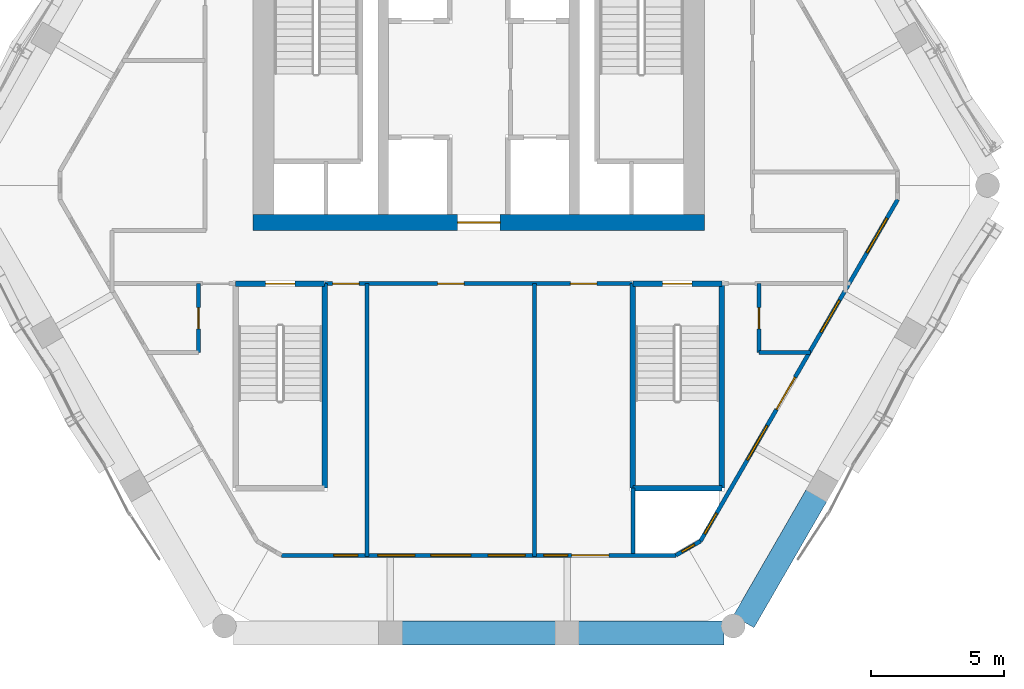
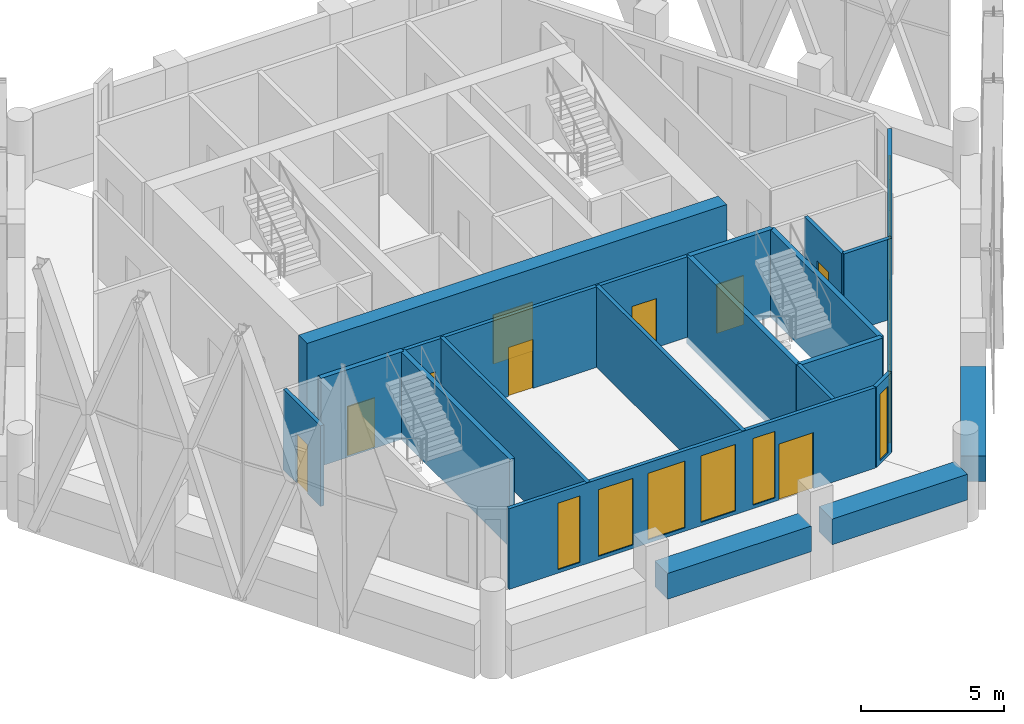
# One storey, part 12 of 18: 20 walls, 10 doors, 10 windows, 20 openings.
"""IFC4 building model written with IfcOpenShell, lengths in metres."""

from ifc_helpers import new_model, si_unit, direction, frame, frame_2d, origin, place, context, subcontext, project, spatial, rectangle, extrude, material, layer, layer_set, type_object, element, fill, save


model = new_model("IFC4")

# Units and contexts
model_context = context("Model", 3, precision=1e-05, world=origin(), true_north=direction((0.0, 1.0)))
body_context = subcontext(model_context, "Body", "Model", "MODEL_VIEW")
ifc_project = project(units=[si_unit("LENGTHUNIT", "METRE"), si_unit("AREAUNIT", "SQUARE_METRE"), si_unit("VOLUMEUNIT", "CUBIC_METRE"), si_unit("PLANEANGLEUNIT", "RADIAN"), si_unit("MASSUNIT", "GRAM", prefix="KILO")], contexts=[model_context])

# Site, building, storey
site_placement = place(None, origin())
site = spatial("IfcSite", under=ifc_project, at=site_placement, CompositionType="ELEMENT")
building_placement = place(site_placement, origin())
building = spatial("IfcBuilding", under=site, at=building_placement, Name="Ostrander Bayou Hotel Tower", CompositionType="ELEMENT")
storey_placement = place(building_placement, frame((0.0, 0.0, 214.5)))
storey = spatial("IfcBuildingStorey", under=building, at=storey_placement, Name="L53", CompositionType="ELEMENT", Elevation=214.5)

# Wall, opening, door
ifc_material_1 = material(Name="Concrete f'c 60 MPa", Category="concrete")
ifc_layer_1 = layer(ifc_material_1, 0.60009765625)
ifc_layer_set_1 = layer_set([ifc_layer_1], Name="CW10 core wall 600 mm f'c 60 MPa")
wall_type_1 = type_object("IfcWallType", Name="CW10 core wall 600 mm f'c 60 MPa", PredefinedType="SHEAR", material=ifc_layer_set_1)
wall_1_placement = place(storey_placement, frame((-8.5, -1.39990234375, -0.300048828125), z_axis=(0.0, 0.0, 1.0), x_axis=(1.0, 0.0, 0.0)))
wall_1 = element("IfcWall", 1, at=wall_1_placement, inside=storey, type_object=wall_type_1, Name="CW10 L53 S", PredefinedType="SHEAR", context=body_context, shape_type="SweptSolid", body=[
    extrude(rectangle(XDim=17.0, YDim=0.60009765625, at=frame_2d((8.5, 0.0))), origin(), (0.0, 0.0, 1.0), 3.75),
])
opening_1_placement = place(wall_1_placement, frame((7.699951171875, 0.0, 0.0)))
opening_1 = element("IfcOpeningElement", 2, at=opening_1_placement, cuts=wall_1, Name="Opening T53-005", PredefinedType="OPENING", context=body_context, shape_type="SweptSolid", body=[
    extrude(rectangle(XDim=1.60009765625, YDim=2.10009765625, at=frame_2d((0.800048828125, 1.050048828125))), frame((0.0, 0.300048828125, 0.0), z_axis=(0.0, -1.0, 0.0), x_axis=(1.0, 0.0, 0.0)), (0.0, 0.0, 1.0), 0.60009765625),
])
ifc_material_2 = material(Name="Timber door leaf", Category="wood")
door_type_1 = type_object("IfcDoorType", Name="D13 double door 1600 x 2100 mm, 1 hour", OperationType="SINGLE_SWING_LEFT", PredefinedType="DOOR", material=ifc_material_2)
door_1_placement = place(opening_1_placement, origin())
door_1 = element("IfcDoor", 3, at=door_1_placement, inside=storey, type_object=door_type_1, Name="dr:L53:005", OperationType="DOUBLE_DOOR_SINGLE_SWING", OverallHeight=2.10009765625, OverallWidth=1.60009765625, PredefinedType="DOOR", context=body_context, shape_type="SweptSolid", body=[
    extrude(rectangle(XDim=1.60009765625, YDim=2.10009765625, at=frame_2d((0.800048828125, 1.050048828125))), frame((0.0, 0.02490234375, 0.0), z_axis=(0.0, -1.0, 0.0), x_axis=(1.0, 0.0, 0.0)), (0.0, 0.0, 1.0), 0.050048828125),
])
fill(opening_1, door_1)

# Wall, openings, door, windows
ifc_material_3 = material(Name="Aluminium framed insulated wall", Category="aluminium")
ifc_layer_2 = layer(ifc_material_3, 0.14990234375)
ifc_layer_set_2 = layer_set([ifc_layer_2], Name="GW1 glass-line wall 150 mm")
wall_type_2 = type_object("IfcWallType", Name="GW1 glass-line wall 150 mm", PredefinedType="SOLIDWALL", material=ifc_layer_set_2)
wall_2_placement = place(storey_placement, frame((-7.4248046875, -13.925048828125, 0.0), z_axis=(0.0, 0.0, 1.0), x_axis=(1.0, 0.0, 0.0)))
wall_2 = element("IfcWall", 4, at=wall_2_placement, inside=storey, type_object=wall_type_2, Name="GW1 L53 S 1", PredefinedType="SOLIDWALL", context=body_context, shape_type="SweptSolid", body=[
    extrude(rectangle(XDim=14.849609375, YDim=0.14990234375, at=frame_2d((7.4248046875, 0.0))), origin(), (0.0, 0.0, 1.0), 3.449951171875),
])
opening_2_placement = place(wall_2_placement, frame((1.974609375, 0.0, 0.14990234375)))
opening_2 = element("IfcOpeningElement", 5, at=opening_2_placement, cuts=wall_2, Name="Opening W18", PredefinedType="OPENING", context=body_context, shape_type="SweptSolid", body=[
    extrude(rectangle(XDim=0.89990234375, YDim=2.85009765625, at=frame_2d((0.449951171875, 1.425048828125))), frame((0.0, 0.074951171875, 0.0), z_axis=(0.0, -1.0, 0.0), x_axis=(1.0, 0.0, 0.0)), (0.0, 0.0, 1.0), 0.14990234375),
])
opening_3_placement = place(wall_2_placement, frame((3.624755859375, 0.0, 0.14990234375)))
opening_3 = element("IfcOpeningElement", 6, at=opening_3_placement, cuts=wall_2, Name="Opening W14", PredefinedType="OPENING", context=body_context, shape_type="SweptSolid", body=[
    extrude(rectangle(XDim=1.39990234375, YDim=2.85009765625, at=frame_2d((0.699951171875, 1.425048828125))), frame((0.0, 0.074951171875, 0.0), z_axis=(0.0, -1.0, 0.0), x_axis=(1.0, 0.0, 0.0)), (0.0, 0.0, 1.0), 0.14990234375),
])
opening_4_placement = place(wall_2_placement, frame((5.624755859375, 0.0, 0.14990234375)))
opening_4 = element("IfcOpeningElement", 7, at=opening_4_placement, cuts=wall_2, Name="Opening W4", PredefinedType="OPENING", context=body_context, shape_type="SweptSolid", body=[
    extrude(rectangle(XDim=1.5, YDim=2.85009765625, at=frame_2d((0.75, 1.425048828125))), frame((0.0, 0.074951171875, 0.0), z_axis=(0.0, -1.0, 0.0), x_axis=(1.0, 0.0, 0.0)), (0.0, 0.0, 1.0), 0.14990234375),
])
opening_5_placement = place(wall_2_placement, frame((7.774658203125, 0.0, 0.14990234375)))
opening_5 = element("IfcOpeningElement", 8, at=opening_5_placement, cuts=wall_2, Name="Opening W14", PredefinedType="OPENING", context=body_context, shape_type="SweptSolid", body=[
    extrude(rectangle(XDim=1.39990234375, YDim=2.85009765625, at=frame_2d((0.699951171875, 1.425048828125))), frame((0.0, 0.074951171875, 0.0), z_axis=(0.0, -1.0, 0.0), x_axis=(1.0, 0.0, 0.0)), (0.0, 0.0, 1.0), 0.14990234375),
])
opening_6_placement = place(wall_2_placement, frame((9.874755859375, 0.0, 0.14990234375)))
opening_6 = element("IfcOpeningElement", 9, at=opening_6_placement, cuts=wall_2, Name="Opening W18", PredefinedType="OPENING", context=body_context, shape_type="SweptSolid", body=[
    extrude(rectangle(XDim=0.89990234375, YDim=2.85009765625, at=frame_2d((0.449951171875, 1.425048828125))), frame((0.0, 0.074951171875, 0.0), z_axis=(0.0, -1.0, 0.0), x_axis=(1.0, 0.0, 0.0)), (0.0, 0.0, 1.0), 0.14990234375),
])
opening_7_placement = place(wall_2_placement, frame((10.9248046875, 0.0, 0.0)))
opening_7 = element("IfcOpeningElement", 10, at=opening_7_placement, cuts=wall_2, Name="Opening T53-801", PredefinedType="OPENING", context=body_context, shape_type="SweptSolid", body=[
    extrude(rectangle(XDim=1.39990234375, YDim=2.39990234375, at=frame_2d((0.699951171875, 1.199951171875))), frame((0.0, 0.074951171875, 0.0), z_axis=(0.0, -1.0, 0.0), x_axis=(1.0, 0.0, 0.0)), (0.0, 0.0, 1.0), 0.14990234375),
])
ifc_material_4 = material(Name="Aluminium and clear glass", Category="aluminium")
door_type_2 = type_object("IfcDoorType", Name="SD4 sliding glass door 1400 mm, zone 4", OperationType="SLIDING_TO_LEFT", PredefinedType="DOOR", material=ifc_material_4)
door_2_placement = place(opening_7_placement, origin())
door_2 = element("IfcDoor", 11, at=door_2_placement, inside=storey, type_object=door_type_2, Name="SD4 L53 S 3", OperationType="SLIDING_TO_LEFT", OverallHeight=2.39990234375, OverallWidth=1.39990234375, PredefinedType="DOOR", context=body_context, shape_type="SweptSolid", body=[
    extrude(rectangle(XDim=1.39990234375, YDim=2.39990234375, at=frame_2d((0.699951171875, 1.199951171875))), frame((0.0, 0.02490234375, 0.0), z_axis=(0.0, -1.0, 0.0), x_axis=(1.0, 0.0, 0.0)), (0.0, 0.0, 1.0), 0.050048828125),
])
fill(opening_7, door_2)
ifc_material_5 = material(Name="Aluminium and clear glass", Category="aluminium")
window_type_1 = type_object("IfcWindowType", Name="W14 fixed window 1400 mm, bath bay, zone 4", PartitioningType="SINGLE_PANEL", PredefinedType="WINDOW", material=ifc_material_5)
window_1_placement = place(opening_3_placement, origin())
window_1 = element("IfcWindow", 12, at=window_1_placement, inside=storey, type_object=window_type_1, Name="W14 L53 S 1", OverallHeight=2.85009765625, OverallWidth=1.39990234375, PartitioningType="SINGLE_PANEL", PredefinedType="WINDOW", context=body_context, shape_type="SweptSolid", body=[
    extrude(rectangle(XDim=1.39990234375, YDim=2.85009765625, at=frame_2d((0.699951171875, 1.425048828125))), frame((0.0, 0.030029296875, 0.0), z_axis=(0.0, -1.0, 0.0), x_axis=(1.0, 0.0, 0.0)), (0.0, 0.0, 1.0), 0.06005859375),
])
fill(opening_3, window_1)
window_2_placement = place(opening_5_placement, origin())
window_2 = element("IfcWindow", 13, at=window_2_placement, inside=storey, type_object=window_type_1, Name="W14 L53 S 2", OverallHeight=2.85009765625, OverallWidth=1.39990234375, PartitioningType="SINGLE_PANEL", PredefinedType="WINDOW", context=body_context, shape_type="SweptSolid", body=[
    extrude(rectangle(XDim=1.39990234375, YDim=2.85009765625, at=frame_2d((0.699951171875, 1.425048828125))), frame((0.0, 0.030029296875, 0.0), z_axis=(0.0, -1.0, 0.0), x_axis=(1.0, 0.0, 0.0)), (0.0, 0.0, 1.0), 0.06005859375),
])
fill(opening_5, window_2)
ifc_material_6 = material(Name="Aluminium and clear glass", Category="aluminium")
window_type_2 = type_object("IfcWindowType", Name="W18 window 900 mm, zone 4", PartitioningType="SINGLE_PANEL", PredefinedType="WINDOW", material=ifc_material_6)
window_3_placement = place(opening_2_placement, origin())
window_3 = element("IfcWindow", 14, at=window_3_placement, inside=storey, type_object=window_type_2, Name="W18 L53 S 1", OverallHeight=2.85009765625, OverallWidth=0.89990234375, PartitioningType="SINGLE_PANEL", PredefinedType="WINDOW", context=body_context, shape_type="SweptSolid", body=[
    extrude(rectangle(XDim=0.89990234375, YDim=2.85009765625, at=frame_2d((0.449951171875, 1.425048828125))), frame((0.0, 0.030029296875, 0.0), z_axis=(0.0, -1.0, 0.0), x_axis=(1.0, 0.0, 0.0)), (0.0, 0.0, 1.0), 0.06005859375),
])
fill(opening_2, window_3)
window_4_placement = place(opening_6_placement, origin())
window_4 = element("IfcWindow", 15, at=window_4_placement, inside=storey, type_object=window_type_2, Name="W18 L53 S 3", OverallHeight=2.85009765625, OverallWidth=0.89990234375, PartitioningType="SINGLE_PANEL", PredefinedType="WINDOW", context=body_context, shape_type="SweptSolid", body=[
    extrude(rectangle(XDim=0.89990234375, YDim=2.85009765625, at=frame_2d((0.449951171875, 1.425048828125))), frame((0.0, 0.030029296875, 0.0), z_axis=(0.0, -1.0, 0.0), x_axis=(1.0, 0.0, 0.0)), (0.0, 0.0, 1.0), 0.06005859375),
])
fill(opening_6, window_4)
ifc_material_7 = material(Name="Aluminium and clear glass", Category="aluminium")
window_type_3 = type_object("IfcWindowType", Name="W4 fixed window 1500 mm, zone 4", PartitioningType="SINGLE_PANEL", PredefinedType="WINDOW", material=ifc_material_7)
window_5_placement = place(opening_4_placement, origin())
window_5 = element("IfcWindow", 16, at=window_5_placement, inside=storey, type_object=window_type_3, Name="W4 L53 S 2", OverallHeight=2.85009765625, OverallWidth=1.5, PartitioningType="SINGLE_PANEL", PredefinedType="WINDOW", context=body_context, shape_type="SweptSolid", body=[
    extrude(rectangle(XDim=1.5, YDim=2.85009765625, at=frame_2d((0.75, 1.425048828125))), frame((0.0, 0.030029296875, 0.0), z_axis=(0.0, -1.0, 0.0), x_axis=(1.0, 0.0, 0.0)), (0.0, 0.0, 1.0), 0.06005859375),
])
fill(opening_4, window_5)

wall_3_placement = place(storey_placement, frame((8.346923828125, -13.392578125, 0.0), z_axis=(0.0, 0.0, 1.0), x_axis=(0.500000919504, 0.866024872908, 0.0)))
wall_3 = element("IfcWall", 17, at=wall_3_placement, inside=storey, type_object=wall_type_2, Name="GW1 L53 SE 1", PredefinedType="SOLIDWALL", context=body_context, shape_type="SweptSolid", body=[
    extrude(rectangle(XDim=14.849609375, YDim=0.14990234375, at=frame_2d((7.4248046875, 0.0))), origin(), (0.0, 0.0, 1.0), 3.449951171875),
])
opening_8_placement = place(wall_3_placement, frame((3.524658203125, 0.0, 0.14990234375)))
opening_8 = element("IfcOpeningElement", 18, at=opening_8_placement, cuts=wall_3, Name="Opening W4", PredefinedType="OPENING", context=body_context, shape_type="SweptSolid", body=[
    extrude(rectangle(XDim=1.5, YDim=2.85009765625, at=frame_2d((0.75, 1.425048828125))), frame((0.0, 0.074951171875, 0.0), z_axis=(0.0, -1.0, 0.0), x_axis=(1.0, 0.0, 0.0)), (0.0, 0.0, 1.0), 0.14990234375),
])
opening_9_placement = place(wall_3_placement, frame((5.724609375, 0.0, 0.0)))
opening_9 = element("IfcOpeningElement", 19, at=opening_9_placement, cuts=wall_3, Name="Opening T53-802", PredefinedType="OPENING", context=body_context, shape_type="SweptSolid", body=[
    extrude(rectangle(XDim=1.39990234375, YDim=2.39990234375, at=frame_2d((0.699951171875, 1.199951171875))), frame((0.0, 0.074951171875, 0.0), z_axis=(0.0, -1.0, 0.0), x_axis=(1.0, 0.0, 0.0)), (0.0, 0.0, 1.0), 0.14990234375),
])
opening_10_placement = place(wall_3_placement, frame((9.07763671875, 0.0, 0.14990234375)))
opening_10 = element("IfcOpeningElement", 20, at=opening_10_placement, cuts=wall_3, Name="Opening W14", PredefinedType="OPENING", context=body_context, shape_type="SweptSolid", body=[
    extrude(rectangle(XDim=1.39990234375, YDim=2.85009765625, at=frame_2d((0.699951171875, 1.425048828125))), frame((0.0, 0.074951171875, 0.0), z_axis=(0.0, -1.0, 0.0), x_axis=(1.0, 0.0, 0.0)), (0.0, 0.0, 1.0), 0.14990234375),
])
opening_11_placement = place(wall_3_placement, frame((0.31787109375, 0.0, 0.14990234375)))
opening_11 = element("IfcOpeningElement", 21, at=opening_11_placement, cuts=wall_3, Name="Opening W18", PredefinedType="OPENING", context=body_context, shape_type="SweptSolid", body=[
    extrude(rectangle(XDim=0.89990234375, YDim=2.72998046875, at=frame_2d((0.449951171875, 1.364990234375))), frame((0.0, 0.074951171875, 0.0), z_axis=(0.0, -1.0, 0.0), x_axis=(1.0, 0.0, 0.0)), (0.0, 0.0, 1.0), 0.14990234375),
])
opening_12_placement = place(wall_3_placement, frame((12.537109375, 0.0, 0.14990234375)))
opening_12 = element("IfcOpeningElement", 22, at=opening_12_placement, cuts=wall_3, Name="Opening W4", PredefinedType="OPENING", context=body_context, shape_type="SweptSolid", body=[
    extrude(rectangle(XDim=1.5, YDim=2.72998046875, at=frame_2d((0.75, 1.364990234375))), frame((0.0, 0.074951171875, 0.0), z_axis=(0.0, -1.0, 0.0), x_axis=(1.0, 0.0, 0.0)), (0.0, 0.0, 1.0), 0.14990234375),
])
door_3_placement = place(opening_9_placement, origin())
door_3 = element("IfcDoor", 23, at=door_3_placement, inside=storey, type_object=door_type_2, Name="SD4 L53 SE 1", OperationType="SLIDING_TO_LEFT", OverallHeight=2.39990234375, OverallWidth=1.39990234375, PredefinedType="DOOR", context=body_context, shape_type="SweptSolid", body=[
    extrude(rectangle(XDim=1.39990234375, YDim=2.39990234375, at=frame_2d((0.699951171875, 1.199951171875))), frame((0.0, 0.02490234375, 0.0), z_axis=(0.0, -1.0, 0.0), x_axis=(1.0, 0.0, 0.0)), (0.0, 0.0, 1.0), 0.050048828125),
])
fill(opening_9, door_3)
window_6_placement = place(opening_10_placement, origin())
window_6 = element("IfcWindow", 24, at=window_6_placement, inside=storey, type_object=window_type_1, Name="W14 L53 SE 2", OverallHeight=2.85009765625, OverallWidth=1.39990234375, PartitioningType="SINGLE_PANEL", PredefinedType="WINDOW", context=body_context, shape_type="SweptSolid", body=[
    extrude(rectangle(XDim=1.39990234375, YDim=2.85009765625, at=frame_2d((0.699951171875, 1.425048828125))), frame((0.0, 0.030029296875, 0.0), z_axis=(0.0, -1.0, 0.0), x_axis=(1.0, 0.0, 0.0)), (0.0, 0.0, 1.0), 0.06005859375),
])
fill(opening_10, window_6)
window_7_placement = place(opening_11_placement, origin())
window_7 = element("IfcWindow", 25, at=window_7_placement, inside=storey, type_object=window_type_2, Name="W18 L53 SE E11", OverallHeight=2.72998046875, OverallWidth=0.89990234375, PartitioningType="SINGLE_PANEL", PredefinedType="WINDOW", context=body_context, shape_type="SweptSolid", body=[
    extrude(rectangle(XDim=0.89990234375, YDim=2.72998046875, at=frame_2d((0.449951171875, 1.364990234375))), frame((0.0, 0.030029296875, 0.0), z_axis=(0.0, -1.0, 0.0), x_axis=(1.0, 0.0, 0.0)), (0.0, 0.0, 1.0), 0.06005859375),
])
fill(opening_11, window_7)
window_8_placement = place(opening_8_placement, origin())
window_8 = element("IfcWindow", 26, at=window_8_placement, inside=storey, type_object=window_type_3, Name="W4 L53 SE 1", OverallHeight=2.85009765625, OverallWidth=1.5, PartitioningType="SINGLE_PANEL", PredefinedType="WINDOW", context=body_context, shape_type="SweptSolid", body=[
    extrude(rectangle(XDim=1.5, YDim=2.85009765625, at=frame_2d((0.75, 1.425048828125))), frame((0.0, 0.030029296875, 0.0), z_axis=(0.0, -1.0, 0.0), x_axis=(1.0, 0.0, 0.0)), (0.0, 0.0, 1.0), 0.06005859375),
])
fill(opening_8, window_8)
window_9_placement = place(opening_12_placement, origin())
window_9 = element("IfcWindow", 27, at=window_9_placement, inside=storey, type_object=window_type_3, Name="W4 L53 SE E21", OverallHeight=2.72998046875, OverallWidth=1.5, PartitioningType="SINGLE_PANEL", PredefinedType="WINDOW", context=body_context, shape_type="SweptSolid", body=[
    extrude(rectangle(XDim=1.5, YDim=2.72998046875, at=frame_2d((0.75, 1.364990234375))), frame((0.0, 0.030029296875, 0.0), z_axis=(0.0, -1.0, 0.0), x_axis=(1.0, 0.0, 0.0)), (0.0, 0.0, 1.0), 0.06005859375),
])
fill(opening_12, window_9)

# Wall, opening, window
wall_4_placement = place(storey_placement, frame((7.4248046875, -13.925048828125, 0.0), z_axis=(0.0, 0.0, 1.0), x_axis=(0.865990848561, 0.500059846627, 0.0)))
wall_4 = element("IfcWall", 28, at=wall_4_placement, inside=storey, type_object=wall_type_2, Name="GW1 L53 corner 4", PredefinedType="SOLIDWALL", context=body_context, shape_type="SweptSolid", body=[
    extrude(rectangle(XDim=1.064697265625, YDim=0.14990234375, at=frame_2d((0.5322265625, 0.0))), origin(), (0.0, 0.0, 1.0), 3.449951171875),
])
opening_13_placement = place(wall_4_placement, frame((0.257568359375, 0.0, 0.14990234375)))
opening_13 = element("IfcOpeningElement", 29, at=opening_13_placement, cuts=wall_4, Name="Opening W19", PredefinedType="OPENING", context=body_context, shape_type="SweptSolid", body=[
    extrude(rectangle(XDim=0.550048828125, YDim=2.85009765625, at=frame_2d((0.27490234375, 1.425048828125))), frame((0.0, 0.074951171875, 0.0), z_axis=(0.0, -1.0, 0.0), x_axis=(1.0, 0.0, 0.0)), (0.0, 0.0, 1.0), 0.14990234375),
])
ifc_material_8 = material(Name="Aluminium and clear glass", Category="aluminium")
window_type_4 = type_object("IfcWindowType", Name="W19 corner window 550 mm", PartitioningType="SINGLE_PANEL", PredefinedType="WINDOW", material=ifc_material_8)
window_10_placement = place(opening_13_placement, origin())
window_10 = element("IfcWindow", 30, at=window_10_placement, inside=storey, type_object=window_type_4, Name="W19 L53 corner 4", OverallHeight=2.85009765625, OverallWidth=0.550048828125, PartitioningType="SINGLE_PANEL", PredefinedType="WINDOW", context=body_context, shape_type="SweptSolid", body=[
    extrude(rectangle(XDim=0.550048828125, YDim=2.85009765625, at=frame_2d((0.27490234375, 1.425048828125))), frame((0.0, 0.030029296875, 0.0), z_axis=(0.0, -1.0, 0.0), x_axis=(1.0, 0.0, 0.0)), (0.0, 0.0, 1.0), 0.06005859375),
])
fill(opening_13, window_10)

# Walls
ifc_material_9 = material(Name="Concrete f'c 40 MPa", Category="concrete")
ifc_layer_3 = layer(ifc_material_9, 0.89990234375)
ifc_layer_set_3 = layer_set([ifc_layer_3], Name="PA1 stone-faced parapet 900 mm")
wall_type_3 = type_object("IfcWallType", Name="PA1 stone-faced parapet 900 mm", PredefinedType="PARAPET", material=ifc_layer_set_3)
wall_5_placement = place(storey_placement, frame((-2.909423828125, -16.85009765625, 0.0), z_axis=(0.0, 0.0, 1.0), x_axis=(1.0, 0.0, 0.0)))
element("IfcWall", 31, at=wall_5_placement, inside=storey, type_object=wall_type_3, Name="PA1 L53 S-2", PredefinedType="PARAPET", context=body_context, shape_type="SweptSolid", body=[
    extrude(rectangle(XDim=5.81884765625, YDim=0.89990234375, at=frame_2d((2.909423828125, 0.0))), origin(), (0.0, 0.0, 1.0), 1.10009765625),
])
wall_6_placement = place(storey_placement, frame((3.74951171875, -16.85009765625, 0.0), z_axis=(0.0, 0.0, 1.0), x_axis=(1.0, 0.0, 0.0)))
element("IfcWall", 32, at=wall_6_placement, inside=storey, type_object=wall_type_3, Name="PA1 L53 S-3", PredefinedType="PARAPET", context=body_context, shape_type="SweptSolid", body=[
    extrude(rectangle(XDim=5.49169921875, YDim=0.89990234375, at=frame_2d((2.745849609375, 0.0))), origin(), (0.0, 0.0, 1.0), 1.10009765625),
])
ifc_material_10 = material(Name="Limestone masonry", Category="masonry")
ifc_layer_4 = layer(ifc_material_10, 0.89990234375)
ifc_layer_set_4 = layer_set([ifc_layer_4], Name="PA2 limestone parapet 900 mm")
wall_type_4 = type_object("IfcWallType", Name="PA2 limestone parapet 900 mm", PredefinedType="PARAPET", material=ifc_layer_set_4)
wall_7_placement = place(storey_placement, frame((9.971923828125, -16.427978515625, 0.0), z_axis=(0.0, 0.0, 1.0), x_axis=(0.50000722722, 0.866021231107, 0.0)))
element("IfcWall", 33, at=wall_7_placement, inside=storey, type_object=wall_type_4, Name="PA2 L53 SE-1", PredefinedType="PARAPET", context=body_context, shape_type="SweptSolid", body=[
    extrude(rectangle(XDim=5.49169921875, YDim=0.89990234375, at=frame_2d((2.745849609375, 0.0))), origin(), (0.0, 0.0, 1.0), 1.10009765625),
])
ifc_material_11 = material(Name="Gypsum board partition", Category="finish")
ifc_layer_5 = layer(ifc_material_11, 0.14990234375)
ifc_layer_set_5 = layer_set([ifc_layer_5], Name="PT7 riser wall 150 mm, 2 hour")
wall_type_5 = type_object("IfcWallType", Name="PT7 riser wall 150 mm, 2 hour", PredefinedType="PARTITIONING", material=ifc_layer_set_5)
wall_8_placement = place(storey_placement, frame((5.800048828125, -11.39990234375, 0.0), z_axis=(0.0, 0.0, 1.0), x_axis=(0.0, -1.0, 0.0)))
element("IfcWall", 34, at=wall_8_placement, inside=storey, type_object=wall_type_5, Name="cs:L53:019", PredefinedType="PARTITIONING", context=body_context, shape_type="SweptSolid", body=[
    extrude(rectangle(XDim=2.4501953125, YDim=0.14990234375, at=frame_2d((1.22509765625, 0.0))), origin(), (0.0, 0.0, 1.0), 3.449951171875),
])
ifc_material_12 = material(Name="Gypsum board partition", Category="finish")
ifc_layer_6 = layer(ifc_material_12, 0.14990234375)
ifc_layer_set_6 = layer_set([ifc_layer_6], Name="PT8 service band wall 150 mm, 1 hour")
wall_type_6 = type_object("IfcWallType", Name="PT8 service band wall 150 mm, 1 hour", PredefinedType="PARTITIONING", material=ifc_layer_set_6)
wall_9_placement = place(storey_placement, frame((10.550048828125, -6.300048828125, 0.0), z_axis=(0.0, 0.0, 1.0), x_axis=(1.0, 0.0, 0.0)))
element("IfcWall", 35, at=wall_9_placement, inside=storey, type_object=wall_type_6, Name="gw:L53:002", PredefinedType="PARTITIONING", context=body_context, shape_type="SweptSolid", body=[
    extrude(rectangle(XDim=1.94384765625, YDim=0.14990234375, at=frame_2d((0.971923828125, 0.0))), origin(), (0.0, 0.0, 1.0), 3.449951171875),
])

# Wall, openings, doors
wall_10_placement = place(storey_placement, frame((-5.7900390625, -3.699951171875, 0.0), z_axis=(0.0, 0.0, 1.0), x_axis=(1.0, 0.0, 0.0)))
wall_10 = element("IfcWall", 36, at=wall_10_placement, inside=storey, type_object=wall_type_6, Name="gw:L53:004", PredefinedType="PARTITIONING", context=body_context, shape_type="SweptSolid", body=[
    extrude(rectangle(XDim=11.580078125, YDim=0.14990234375, at=frame_2d((5.7900390625, 0.0))), origin(), (0.0, 0.0, 1.0), 3.449951171875),
])
opening_14_placement = place(wall_10_placement, frame((4.239990234375, 0.0, 0.0)))
opening_14 = element("IfcOpeningElement", 37, at=opening_14_placement, cuts=wall_10, Name="Opening T53-400", PredefinedType="OPENING", context=body_context, shape_type="SweptSolid", body=[
    extrude(rectangle(XDim=1.0, YDim=2.10009765625, at=frame_2d((0.5, 1.050048828125))), frame((0.0, 0.074951171875, 0.0), z_axis=(0.0, -1.0, 0.0), x_axis=(1.0, 0.0, 0.0)), (0.0, 0.0, 1.0), 0.14990234375),
])
opening_15_placement = place(wall_10_placement, frame((0.2900390625, 0.0, 0.0)))
opening_15 = element("IfcOpeningElement", 38, at=opening_15_placement, cuts=wall_10, Name="Opening T53-401", PredefinedType="OPENING", context=body_context, shape_type="SweptSolid", body=[
    extrude(rectangle(XDim=1.0, YDim=2.10009765625, at=frame_2d((0.5, 1.050048828125))), frame((0.0, 0.074951171875, 0.0), z_axis=(0.0, -1.0, 0.0), x_axis=(1.0, 0.0, 0.0)), (0.0, 0.0, 1.0), 0.14990234375),
])
opening_16_placement = place(wall_10_placement, frame((9.239990234375, 0.0, 0.0)))
opening_16 = element("IfcOpeningElement", 39, at=opening_16_placement, cuts=wall_10, Name="Opening T53-404", PredefinedType="OPENING", context=body_context, shape_type="SweptSolid", body=[
    extrude(rectangle(XDim=1.0, YDim=2.10009765625, at=frame_2d((0.5, 1.050048828125))), frame((0.0, 0.074951171875, 0.0), z_axis=(0.0, -1.0, 0.0), x_axis=(1.0, 0.0, 0.0)), (0.0, 0.0, 1.0), 0.14990234375),
])
ifc_material_13 = material(Name="Timber door leaf", Category="wood")
door_type_3 = type_object("IfcDoorType", Name="D15 room door 1000 x 2100 mm", OperationType="SINGLE_SWING_LEFT", PredefinedType="DOOR", material=ifc_material_13)
door_4_placement = place(opening_14_placement, origin())
door_4 = element("IfcDoor", 40, at=door_4_placement, inside=storey, type_object=door_type_3, Name="dr:L53:400", OperationType="SINGLE_SWING_LEFT", OverallHeight=2.10009765625, OverallWidth=1.0, PredefinedType="DOOR", context=body_context, shape_type="SweptSolid", body=[
    extrude(rectangle(XDim=1.0, YDim=2.10009765625, at=frame_2d((0.5, 1.050048828125))), frame((0.0, 0.02490234375, 0.0), z_axis=(0.0, -1.0, 0.0), x_axis=(1.0, 0.0, 0.0)), (0.0, 0.0, 1.0), 0.050048828125),
])
fill(opening_14, door_4)
door_5_placement = place(opening_15_placement, origin())
door_5 = element("IfcDoor", 41, at=door_5_placement, inside=storey, type_object=door_type_3, Name="dr:L53:401", OperationType="SINGLE_SWING_RIGHT", OverallHeight=2.10009765625, OverallWidth=1.0, PredefinedType="DOOR", context=body_context, shape_type="SweptSolid", body=[
    extrude(rectangle(XDim=1.0, YDim=2.10009765625, at=frame_2d((0.5, 1.050048828125))), frame((0.0, 0.02490234375, 0.0), z_axis=(0.0, -1.0, 0.0), x_axis=(1.0, 0.0, 0.0)), (0.0, 0.0, 1.0), 0.050048828125),
])
fill(opening_15, door_5)
door_6_placement = place(opening_16_placement, origin())
door_6 = element("IfcDoor", 42, at=door_6_placement, inside=storey, type_object=door_type_3, Name="dr:L53:404", OperationType="SINGLE_SWING_LEFT", OverallHeight=2.10009765625, OverallWidth=1.0, PredefinedType="DOOR", context=body_context, shape_type="SweptSolid", body=[
    extrude(rectangle(XDim=1.0, YDim=2.10009765625, at=frame_2d((0.5, 1.050048828125))), frame((0.0, 0.02490234375, 0.0), z_axis=(0.0, -1.0, 0.0), x_axis=(1.0, 0.0, 0.0)), (0.0, 0.0, 1.0), 0.050048828125),
])
fill(opening_16, door_6)

# Wall, opening, door
wall_11_placement = place(storey_placement, frame((10.550048828125, -6.300048828125, 0.0), z_axis=(0.0, 0.0, 1.0), x_axis=(0.0, 1.0, 0.0)))
wall_11 = element("IfcWall", 43, at=wall_11_placement, inside=storey, type_object=wall_type_6, Name="gw:L53:011", PredefinedType="PARTITIONING", context=body_context, shape_type="SweptSolid", body=[
    extrude(rectangle(XDim=2.60009765625, YDim=0.14990234375, at=frame_2d((1.300048828125, 0.0))), origin(), (0.0, 0.0, 1.0), 3.449951171875),
])
opening_17_placement = place(wall_11_placement, frame((0.89990234375, 0.0, 0.0)))
opening_17 = element("IfcOpeningElement", 44, at=opening_17_placement, cuts=wall_11, Name="Opening T53-406", PredefinedType="OPENING", context=body_context, shape_type="SweptSolid", body=[
    extrude(rectangle(XDim=0.800048828125, YDim=2.10009765625, at=frame_2d((0.39990234375, 1.050048828125))), frame((0.0, 0.074951171875, 0.0), z_axis=(0.0, -1.0, 0.0), x_axis=(1.0, 0.0, 0.0)), (0.0, 0.0, 1.0), 0.14990234375),
])
ifc_material_14 = material(Name="Timber door leaf", Category="wood")
door_type_4 = type_object("IfcDoorType", Name="D2 bathroom door 800 x 2100 mm", OperationType="SINGLE_SWING_LEFT", PredefinedType="DOOR", material=ifc_material_14)
door_7_placement = place(opening_17_placement, origin())
door_7 = element("IfcDoor", 45, at=door_7_placement, inside=storey, type_object=door_type_4, Name="dr:L53:406", OperationType="SINGLE_SWING_RIGHT", OverallHeight=2.10009765625, OverallWidth=0.800048828125, PredefinedType="DOOR", context=body_context, shape_type="SweptSolid", body=[
    extrude(rectangle(XDim=0.800048828125, YDim=2.10009765625, at=frame_2d((0.39990234375, 1.050048828125))), frame((0.0, 0.02490234375, 0.0), z_axis=(0.0, -1.0, 0.0), x_axis=(1.0, 0.0, 0.0)), (0.0, 0.0, 1.0), 0.050048828125),
])
fill(opening_17, door_7)

# Walls
for number, where, z_axis, x_axis, name in (
    (46, (2.10009765625, -13.969970703125, 0.0), (0.0, 0.0, 1.0), (0.0, 1.0, 0.0), "gw:L53:014"),
    (47, (-4.199951171875, -13.969970703125, 0.0), (0.0, 0.0, 1.0), (0.0, 1.0, 0.0), "gw:L53:015"),
):
    element("IfcWall", number, at=place(storey_placement, frame(where, z_axis=z_axis, x_axis=x_axis)), inside=storey, type_object=wall_type_6, Name=name, PredefinedType="PARTITIONING", context=body_context, shape_type="SweptSolid", body=[
        extrude(rectangle(XDim=10.27001953125, YDim=0.14990234375, at=frame_2d((5.135009765625, 0.0))), origin(), (0.0, 0.0, 1.0), 3.449951171875),
    ])

# Wall, opening, door
wall_12_placement = place(storey_placement, frame((-10.550048828125, -6.300048828125, 0.0), z_axis=(0.0, 0.0, 1.0), x_axis=(0.0, 1.0, 0.0)))
wall_12 = element("IfcWall", 48, at=wall_12_placement, inside=storey, type_object=wall_type_6, Name="gw:L53:017", PredefinedType="PARTITIONING", context=body_context, shape_type="SweptSolid", body=[
    extrude(rectangle(XDim=2.60009765625, YDim=0.14990234375, at=frame_2d((1.300048828125, 0.0))), origin(), (0.0, 0.0, 1.0), 3.449951171875),
])
opening_18_placement = place(wall_12_placement, frame((0.89990234375, 0.0, 0.0)))
opening_18 = element("IfcOpeningElement", 49, at=opening_18_placement, cuts=wall_12, Name="Opening T53-403", PredefinedType="OPENING", context=body_context, shape_type="SweptSolid", body=[
    extrude(rectangle(XDim=0.800048828125, YDim=2.10009765625, at=frame_2d((0.39990234375, 1.050048828125))), frame((0.0, 0.074951171875, 0.0), z_axis=(0.0, -1.0, 0.0), x_axis=(1.0, 0.0, 0.0)), (0.0, 0.0, 1.0), 0.14990234375),
])
door_8_placement = place(opening_18_placement, origin())
door_8 = element("IfcDoor", 50, at=door_8_placement, inside=storey, type_object=door_type_4, Name="dr:L53:403", OperationType="SINGLE_SWING_RIGHT", OverallHeight=2.10009765625, OverallWidth=0.800048828125, PredefinedType="DOOR", context=body_context, shape_type="SweptSolid", body=[
    extrude(rectangle(XDim=0.800048828125, YDim=2.10009765625, at=frame_2d((0.39990234375, 1.050048828125))), frame((0.0, 0.02490234375, 0.0), z_axis=(0.0, -1.0, 0.0), x_axis=(1.0, 0.0, 0.0)), (0.0, 0.0, 1.0), 0.050048828125),
])
fill(opening_18, door_8)

ifc_material_15 = material(Name="Concrete f'c 45 MPa", Category="concrete")
ifc_layer_7 = layer(ifc_material_15, 0.199951171875)
ifc_layer_set_7 = layer_set([ifc_layer_7], Name="SW5 stair enclosure wall 200 mm f'c 45 MPa")
wall_type_7 = type_object("IfcWallType", Name="SW5 stair enclosure wall 200 mm f'c 45 MPa", PredefinedType="SOLIDWALL", material=ifc_layer_set_7)
wall_13_placement = place(storey_placement, frame((5.800048828125, -3.699951171875, -0.300048828125), z_axis=(0.0, 0.0, 1.0), x_axis=(1.0, 0.0, 0.0)))
wall_13 = element("IfcWall", 51, at=wall_13_placement, inside=storey, type_object=wall_type_7, Name="cs:L53:015", PredefinedType="SOLIDWALL", context=body_context, shape_type="SweptSolid", body=[
    extrude(rectangle(XDim=3.349853515625, YDim=0.199951171875, at=frame_2d((1.6748046875, 0.0))), origin(), (0.0, 0.0, 1.0), 3.75),
])
opening_19_placement = place(wall_13_placement, frame((1.125, 0.0, 0.0)))
opening_19 = element("IfcOpeningElement", 52, at=opening_19_placement, cuts=wall_13, Name="Opening T53-011", PredefinedType="OPENING", context=body_context, shape_type="SweptSolid", body=[
    extrude(rectangle(XDim=1.10009765625, YDim=2.10009765625, at=frame_2d((0.550048828125, 1.050048828125))), frame((0.0, 0.10009765625, 0.0), z_axis=(0.0, -1.0, 0.0), x_axis=(1.0, 0.0, 0.0)), (0.0, 0.0, 1.0), 0.199951171875),
])
ifc_material_16 = material(Name="Timber door leaf", Category="wood")
door_type_5 = type_object("IfcDoorType", Name="D5 stair door 1100 x 2100 mm, 90 minute", OperationType="SINGLE_SWING_LEFT", PredefinedType="DOOR", material=ifc_material_16)
door_9_placement = place(opening_19_placement, origin())
door_9 = element("IfcDoor", 53, at=door_9_placement, inside=storey, type_object=door_type_5, Name="dr:L53:011", OperationType="SINGLE_SWING_LEFT", OverallHeight=2.10009765625, OverallWidth=1.10009765625, PredefinedType="DOOR", context=body_context, shape_type="SweptSolid", body=[
    extrude(rectangle(XDim=1.10009765625, YDim=2.10009765625, at=frame_2d((0.550048828125, 1.050048828125))), frame((0.0, 0.02490234375, 0.0), z_axis=(0.0, -1.0, 0.0), x_axis=(1.0, 0.0, 0.0)), (0.0, 0.0, 1.0), 0.050048828125),
])
fill(opening_19, door_9)

# Walls
for number, where, z_axis, x_axis, name in (
    (54, (5.800048828125, -3.699951171875, -0.300048828125), (0.0, 0.0, 1.0), (0.0, -1.0, 0.0), "cs:L53:016"),
    (55, (9.14990234375, -3.699951171875, -0.300048828125), (0.0, 0.0, 1.0), (0.0, -1.0, 0.0), "cs:L53:017"),
):
    element("IfcWall", number, at=place(storey_placement, frame(where, z_axis=z_axis, x_axis=x_axis)), inside=storey, type_object=wall_type_7, Name=name, PredefinedType="SOLIDWALL", context=body_context, shape_type="SweptSolid", body=[
        extrude(rectangle(XDim=7.699951171875, YDim=0.199951171875, at=frame_2d((3.85009765625, 0.0))), origin(), (0.0, 0.0, 1.0), 3.75),
    ])
wall_14_placement = place(storey_placement, frame((5.800048828125, -11.39990234375, -0.300048828125), z_axis=(0.0, 0.0, 1.0), x_axis=(1.0, 0.0, 0.0)))
element("IfcWall", 56, at=wall_14_placement, inside=storey, type_object=wall_type_7, Name="cs:L53:018", PredefinedType="SOLIDWALL", context=body_context, shape_type="SweptSolid", body=[
    extrude(rectangle(XDim=3.349853515625, YDim=0.199951171875, at=frame_2d((1.6748046875, 0.0))), origin(), (0.0, 0.0, 1.0), 3.75),
])

# Wall, opening, door
wall_15_placement = place(storey_placement, frame((-9.14990234375, -3.699951171875, -0.300048828125), z_axis=(0.0, 0.0, 1.0), x_axis=(1.0, 0.0, 0.0)))
wall_15 = element("IfcWall", 57, at=wall_15_placement, inside=storey, type_object=wall_type_7, Name="cs:L53:020", PredefinedType="SOLIDWALL", context=body_context, shape_type="SweptSolid", body=[
    extrude(rectangle(XDim=3.349853515625, YDim=0.199951171875, at=frame_2d((1.6748046875, 0.0))), origin(), (0.0, 0.0, 1.0), 3.75),
])
opening_20_placement = place(wall_15_placement, frame((1.125, 0.0, 0.0)))
opening_20 = element("IfcOpeningElement", 58, at=opening_20_placement, cuts=wall_15, Name="Opening T53-012", PredefinedType="OPENING", context=body_context, shape_type="SweptSolid", body=[
    extrude(rectangle(XDim=1.10009765625, YDim=2.10009765625, at=frame_2d((0.550048828125, 1.050048828125))), frame((0.0, 0.10009765625, 0.0), z_axis=(0.0, -1.0, 0.0), x_axis=(1.0, 0.0, 0.0)), (0.0, 0.0, 1.0), 0.199951171875),
])
door_10_placement = place(opening_20_placement, origin())
door_10 = element("IfcDoor", 59, at=door_10_placement, inside=storey, type_object=door_type_5, Name="dr:L53:012", OperationType="SINGLE_SWING_LEFT", OverallHeight=2.10009765625, OverallWidth=1.10009765625, PredefinedType="DOOR", context=body_context, shape_type="SweptSolid", body=[
    extrude(rectangle(XDim=1.10009765625, YDim=2.10009765625, at=frame_2d((0.550048828125, 1.050048828125))), frame((0.0, 0.02490234375, 0.0), z_axis=(0.0, -1.0, 0.0), x_axis=(1.0, 0.0, 0.0)), (0.0, 0.0, 1.0), 0.050048828125),
])
fill(opening_20, door_10)

# Wall
wall_16_placement = place(storey_placement, frame((-5.800048828125, -3.699951171875, -0.300048828125), z_axis=(0.0, 0.0, 1.0), x_axis=(0.0, -1.0, 0.0)))
element("IfcWall", 60, at=wall_16_placement, inside=storey, type_object=wall_type_7, Name="cs:L53:022", PredefinedType="SOLIDWALL", context=body_context, shape_type="SweptSolid", body=[
    extrude(rectangle(XDim=7.699951171875, YDim=0.199951171875, at=frame_2d((3.85009765625, 0.0))), origin(), (0.0, 0.0, 1.0), 3.75),
])

save(model, "model.ifc")
